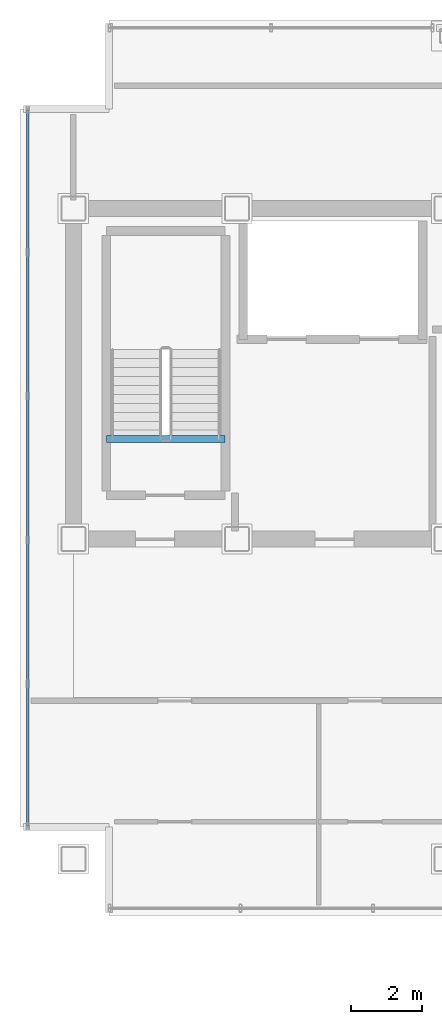
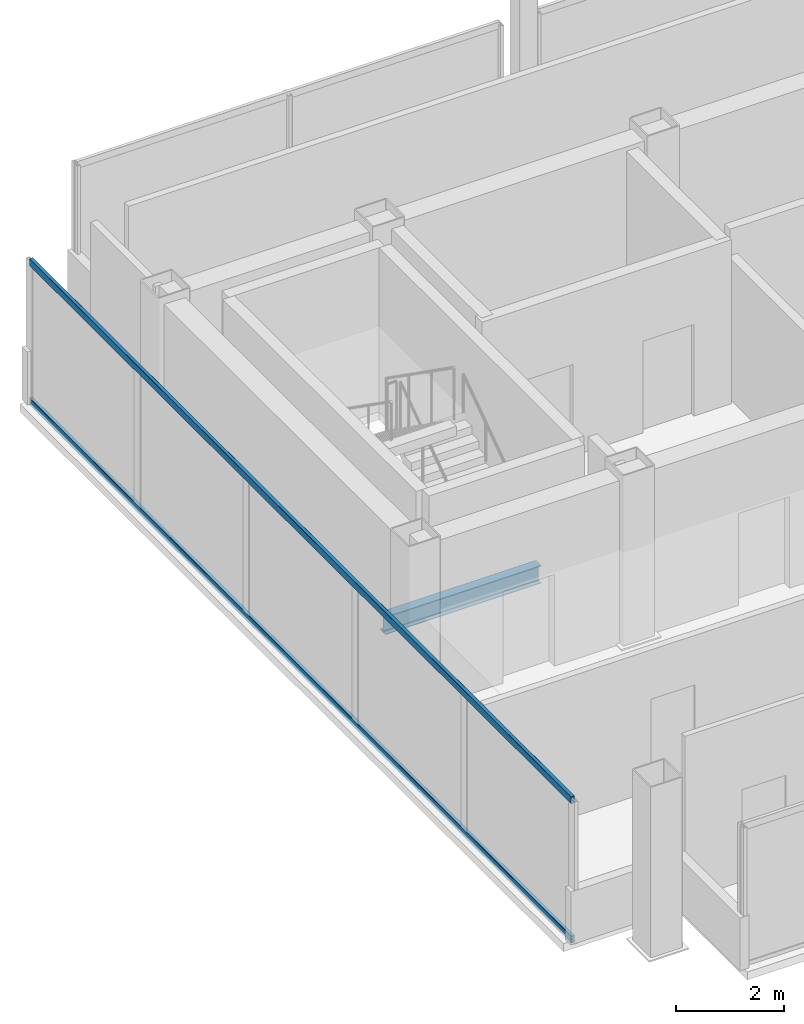
# One storey, part 5 of 17: 2 members, 1 beam, 1 element without a shape of its own.
"""IFC4 building model written with IfcOpenShell, lengths in metres."""

from ifc_helpers import new_model, si_unit, direction, frame, origin, origin_2d, place, context, subcontext, project, spatial, hollow_rectangle, i_section, extrude, material, material_profile, profile_set, type_object, element, aggregate, save


model = new_model("IFC4")

# Units and contexts
model_context = context("Model", 3, precision=1e-05, world=origin(), true_north=direction((0.0, 1.0)))
body_context = subcontext(model_context, "Body", "Model", "MODEL_VIEW")
ifc_project = project(units=[si_unit("LENGTHUNIT", "METRE"), si_unit("AREAUNIT", "SQUARE_METRE"), si_unit("VOLUMEUNIT", "CUBIC_METRE"), si_unit("PLANEANGLEUNIT", "RADIAN"), si_unit("MASSUNIT", "GRAM", prefix="KILO")], contexts=[model_context])

# Site, building, storey
site_placement = place(None, origin())
site = spatial("IfcSite", under=ifc_project, at=site_placement, CompositionType="ELEMENT")
building_placement = place(site_placement, origin())
building = spatial("IfcBuilding", under=site, at=building_placement, Name="Noeulbin Bourse Tower", CompositionType="ELEMENT")
storey_placement = place(building_placement, frame((0.0, 0.0, 289.10009765625)))
storey = spatial("IfcBuildingStorey", under=building, at=storey_placement, Name="L72", CompositionType="ELEMENT", Elevation=289.10009765625)

# Beam
ifc_material_1 = material(Name="Steel S355", Category="steel")
ifc_material_profile_1 = material_profile(ifc_material_1, i_section(OverallWidth=0.199951171875, OverallDepth=0.39990234375, WebThickness=0.008056640625, FlangeThickness=0.012939453125, FilletRadius=0.01611328125, at=origin_2d()), Name="H-400x200x8x13", Category="LoadBearing")
ifc_profile_set_1 = profile_set([ifc_material_profile_1], Name="Steel S355")
beam_type = type_object("IfcBeamType", Name="BM-SEC-400", PredefinedType="BEAM", material=ifc_profile_set_1)
beam_placement = place(storey_placement, frame((14.429931640625, 31.820068359375, -0.2001953125), z_axis=(1.0, 0.0, 0.0), x_axis=(0.0, 1.0, 0.0)))
element("IfcBeam", 1, at=beam_placement, inside=storey, type_object=beam_type, Name="Stair Threshold Trimmer Beam ST1-L72", PredefinedType="BEAM", context=body_context, shape_type="SweptSolid", body=[
    extrude(i_section(OverallWidth=0.199951171875, OverallDepth=0.39990234375, WebThickness=0.008056640625, FlangeThickness=0.012939453125, FilletRadius=0.01611328125, at=origin_2d()), origin(), (0.0, 0.0, 1.0), 3.340087890625),
])

# Curtain wall, members
ifc_material_2 = material(Name="High-Selectivity Low-Iron Glazing", Category="glass")
curtain_wall_type = type_object("IfcCurtainWallType", Name="CW-SYS-4", PredefinedType="NOTDEFINED", material=ifc_material_2)
curtain_wall_placement = place(storey_placement, origin())
curtain_wall = element("IfcCurtainWall", 2, at=curtain_wall_placement, inside=storey, type_object=curtain_wall_type, Name="Unitised Curtain Wall CW-L72-W", PredefinedType="NOTDEFINED")
ifc_material_3 = material(Name="Anodised Aluminium 6063-T6", Category="aluminium")
ifc_material_profile_2 = material_profile(ifc_material_3, hollow_rectangle(XDim=0.074951171875, YDim=0.159912109375, WallThickness=0.0048828125, InnerFilletRadius=0.00244140625, OuterFilletRadius=0.0048828125, at=origin_2d()), Name="ALU-TRAN-75x160x5", Category="LoadBearing")
ifc_profile_set_2 = profile_set([ifc_material_profile_2], Name="Anodised Aluminium 6063-T6")
member_type = type_object("IfcMemberType", Name="CW-SYS-4-TRN", PredefinedType="USERDEFINED", material=ifc_profile_set_2)
member_1_placement = place(storey_placement, frame((12.219970703125, 20.929931640625, 0.010009765625), z_axis=(0.0, 1.0, 0.0), x_axis=(-1.0, 0.0, 0.0)))
member_1 = element("IfcMember", 3, at=member_1_placement, type_object=member_type, Name="Curtain Wall Transom CW-L72-W-T00", ObjectType="TRANSOM", PredefinedType="USERDEFINED", context=body_context, shape_type="SweptSolid", body=[
    extrude(hollow_rectangle(XDim=0.074951171875, YDim=0.159912109375, WallThickness=0.0048828125, InnerFilletRadius=0.00244140625, OuterFilletRadius=0.0048828125, at=origin_2d()), origin(), (0.0, 0.0, 1.0), 20.14013671875),
])
member_2_placement = place(storey_placement, frame((12.219970703125, 20.929931640625, 3.169921875), z_axis=(0.0, 1.0, 0.0), x_axis=(-1.0, 0.0, 0.0)))
member_2 = element("IfcMember", 4, at=member_2_placement, type_object=member_type, Name="Curtain Wall Transom CW-L72-W-T01", ObjectType="TRANSOM", PredefinedType="USERDEFINED", context=body_context, shape_type="SweptSolid", body=[
    extrude(hollow_rectangle(XDim=0.074951171875, YDim=0.159912109375, WallThickness=0.0048828125, InnerFilletRadius=0.00244140625, OuterFilletRadius=0.0048828125, at=origin_2d()), origin(), (0.0, 0.0, 1.0), 20.14013671875),
])
aggregate(curtain_wall, [member_1, member_2])

save(model, "model.ifc")
